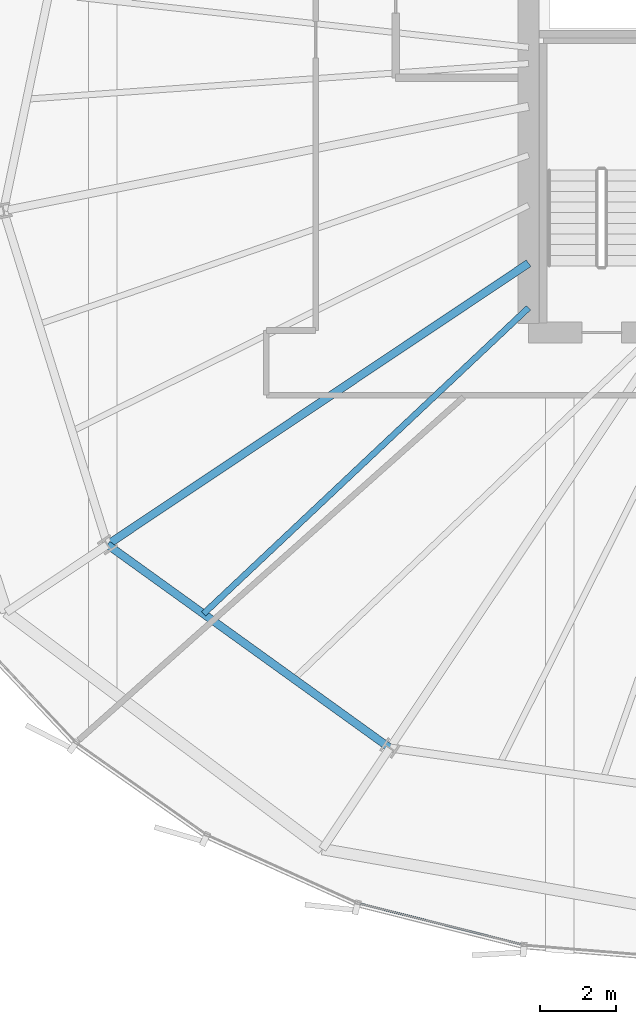
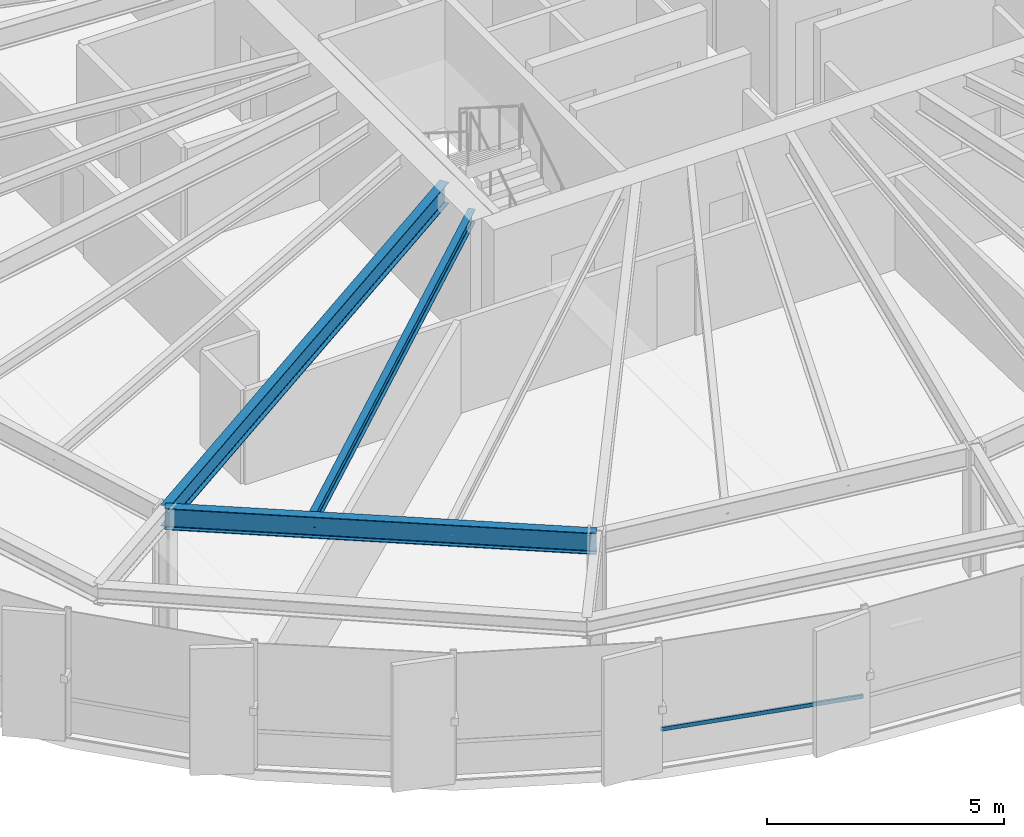
# One storey, part 4 of 35: 3 beams, 1 member, 1 element without a shape of its own.
"""IFC4 building model written with IfcOpenShell, lengths in metres."""

from ifc_helpers import new_model, si_unit, direction, frame, origin, origin_2d, place, context, subcontext, project, spatial, hollow_rectangle, i_section, extrude, source, transform, mapped, material, layer, layer_set, material_profile, profile_set, type_object, element, aggregate, save


model = new_model("IFC4")

# Units and contexts
model_context = context("Model", 3, precision=1e-05, world=origin(), true_north=direction((0.0, 1.0)))
body_context = subcontext(model_context, "Body", "Model", "MODEL_VIEW")
ifc_project = project(units=[si_unit("LENGTHUNIT", "METRE"), si_unit("AREAUNIT", "SQUARE_METRE"), si_unit("VOLUMEUNIT", "CUBIC_METRE"), si_unit("PLANEANGLEUNIT", "RADIAN"), si_unit("MASSUNIT", "GRAM", prefix="KILO"), si_unit("THERMODYNAMICTEMPERATUREUNIT", "KELVIN")], contexts=[model_context])

# Site, building, storey
site_placement = place(None, origin())
site = spatial("IfcSite", under=ifc_project, at=site_placement, CompositionType="ELEMENT")
building_placement = place(site_placement, origin())
building = spatial("IfcBuilding", under=site, at=building_placement, Name="Kethvar Cultural Tower", CompositionType="ELEMENT")
storey_placement = place(building_placement, frame((0.0, 0.0, 135.89990234375)))
storey = spatial("IfcBuildingStorey", under=building, at=storey_placement, Name="L34", CompositionType="ELEMENT", Elevation=135.89990234375)

# Beams
ifc_material_1 = material(Name="Steel S355J2", Category="steel")
ifc_material_profile_1 = material_profile(ifc_material_1, i_section(OverallWidth=0.2099609375, OverallDepth=0.550048828125, WebThickness=0.010986328125, FlangeThickness=0.01708984375, FilletRadius=0.02392578125, at=origin_2d()), Name="Steel S355J2 — IPE550")
ifc_profile_set_1 = profile_set([ifc_material_profile_1], Name="Steel S355J2 — IPE550")
beam_type_1 = type_object("IfcBeamType", Name="BM-IPE550", PredefinedType="BEAM", material=ifc_profile_set_1)
shared_shape_1 = source(origin(), body_context, "Body", "SweptSolid", [
    extrude(i_section(OverallWidth=0.2099609375, OverallDepth=0.550048828125, WebThickness=0.010986328125, FlangeThickness=0.01708984375, FilletRadius=0.02392578125, at=origin_2d()), origin(), (0.0, 0.0, 1.0), 13.324951171875),
])
beam_1_placement = place(storey_placement, frame((38.0, 21.919921875, 3.023193359375), z_axis=(-0.831474815475, -0.555562445843, 0.0), x_axis=(0.555562445843, -0.831474815475, 0.0)))
element("IfcBeam", 1, at=beam_1_placement, inside=storey, type_object=beam_type_1, Name="L34 Primary Radial Beam RB-10", PredefinedType="BEAM", context=body_context, shape_type="MappedRepresentation", body=[
    mapped(shared_shape_1, transform((0.0, 0.0, 0.0), scale=1.0)),
])
shared_shape_2 = source(origin(), body_context, "Body", "SweptSolid", [
    extrude(i_section(OverallWidth=0.2099609375, OverallDepth=0.550048828125, WebThickness=0.010986328125, FlangeThickness=0.01708984375, FilletRadius=0.02392578125, at=origin_2d()), origin(), (0.0, 0.0, 1.0), 9.155029296875),
])
beam_2_placement = place(storey_placement, frame((26.920654296875, 14.51708984375, 3.023193359375), z_axis=(0.811590987974, -0.584226042076, 0.0), x_axis=(0.584226042076, 0.811590987974, 0.0)))
element("IfcBeam", 2, at=beam_2_placement, inside=storey, type_object=beam_type_1, Name="L34 Column Ring Tie Beam CR-10", PredefinedType="BEAM", context=body_context, shape_type="MappedRepresentation", body=[
    mapped(shared_shape_2, transform((0.0, 0.0, 0.0), scale=1.0)),
])
ifc_material_profile_2 = material_profile(ifc_material_1, i_section(OverallWidth=0.159912109375, OverallDepth=0.330078125, WebThickness=0.007568359375, FlangeThickness=0.011474609375, FilletRadius=0.01806640625, at=origin_2d()), Name="Steel S355J2 — IPE330")
ifc_profile_set_2 = profile_set([ifc_material_profile_2], Name="Steel S355J2 — IPE330")
beam_type_2 = type_object("IfcBeamType", Name="BM-J330", PredefinedType="JOIST", material=ifc_profile_set_2)
shared_shape_3 = source(origin(), body_context, "Body", "SweptSolid", [
    extrude(i_section(OverallWidth=0.159912109375, OverallDepth=0.330078125, WebThickness=0.007568359375, FlangeThickness=0.011474609375, FilletRadius=0.01806640625, at=origin_2d()), origin(), (0.0, 0.0, 1.0), 11.74658203125),
])
beam_3_placement = place(storey_placement, frame((38.0, 20.75, 3.133056640625), z_axis=(-0.728129818661, -0.685439251266, 0.0), x_axis=(0.685439251266, -0.728129818661, 0.0)))
element("IfcBeam", 3, at=beam_3_placement, inside=storey, type_object=beam_type_2, Name="L34 Composite Floor Joist J-10A", PredefinedType="JOIST", context=body_context, shape_type="MappedRepresentation", body=[
    mapped(shared_shape_3, transform((0.0, 0.0, 0.0), scale=1.0)),
])

# Curtain wall, member
ifc_material_2 = material(Name="Aluminium 6063-T6", Category="aluminium")
ifc_layer = layer(ifc_material_2, 0.179931640625, Name="Aluminium 6063-T6", Category="aluminium")
ifc_layer_set = layer_set([ifc_layer], Name="Aluminium 6063-T6 (180 mm)")
curtain_wall_type = type_object("IfcCurtainWallType", Name="CW-SYS-04-Z34", PredefinedType="NOTDEFINED", material=ifc_layer_set)
curtain_wall_placement = place(storey_placement, origin())
curtain_wall = element("IfcCurtainWall", 4, at=curtain_wall_placement, inside=storey, type_object=curtain_wall_type, Name="L34 Curtain Wall Run 04", PredefinedType="NOTDEFINED")
ifc_material_profile_3 = material_profile(ifc_material_2, hollow_rectangle(XDim=0.050048828125, YDim=0.10009765625, WallThickness=0.00390625, at=origin_2d()), Name="Aluminium 6063-T6 — RHS100x50x4")
ifc_profile_set_3 = profile_set([ifc_material_profile_3], Name="Aluminium 6063-T6 — RHS100x50x4")
member_type = type_object("IfcMemberType", Name="CW-SYS-04-Z34-TRN", PredefinedType="USERDEFINED", material=ifc_profile_set_3)
shared_shape_4 = source(origin(), body_context, "Body", "SweptSolid", [
    extrude(hollow_rectangle(XDim=0.050048828125, YDim=0.10009765625, WallThickness=0.00390625, at=origin_2d()), origin(), (0.0, 0.0, 1.0), 4.44287109375),
])
member_placement = place(storey_placement, frame((33.546875, 5.077392578125, 0.9501953125), z_axis=(0.969681752509, -0.244371231634, 0.0), x_axis=(0.244371231634, 0.969681752509, 0.0)))
member = element("IfcMember", 5, at=member_placement, type_object=member_type, Name="CW-L34-R04 Transom 5", ObjectType="TRANSOM", PredefinedType="USERDEFINED", context=body_context, shape_type="MappedRepresentation", body=[
    mapped(shared_shape_4, transform((0.0, 0.0, 0.0), scale=1.0)),
])
aggregate(curtain_wall, [member])

save(model, "model.ifc")
